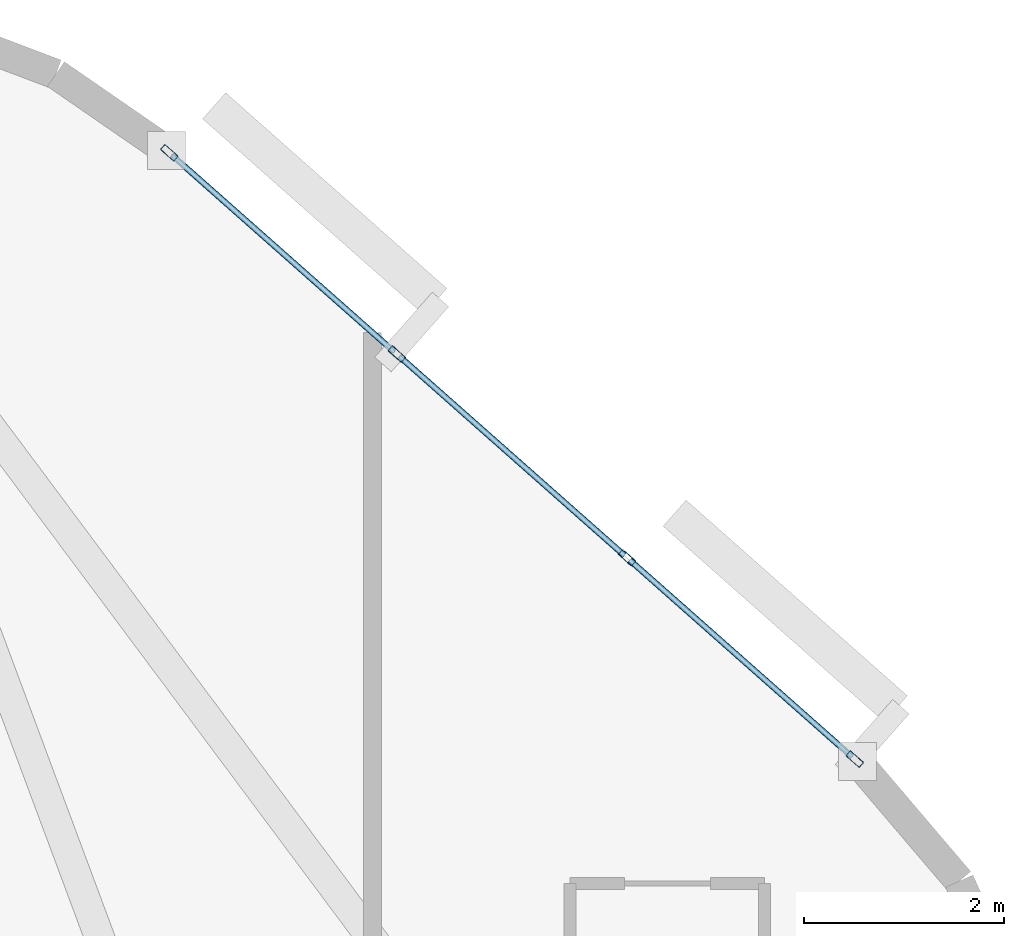
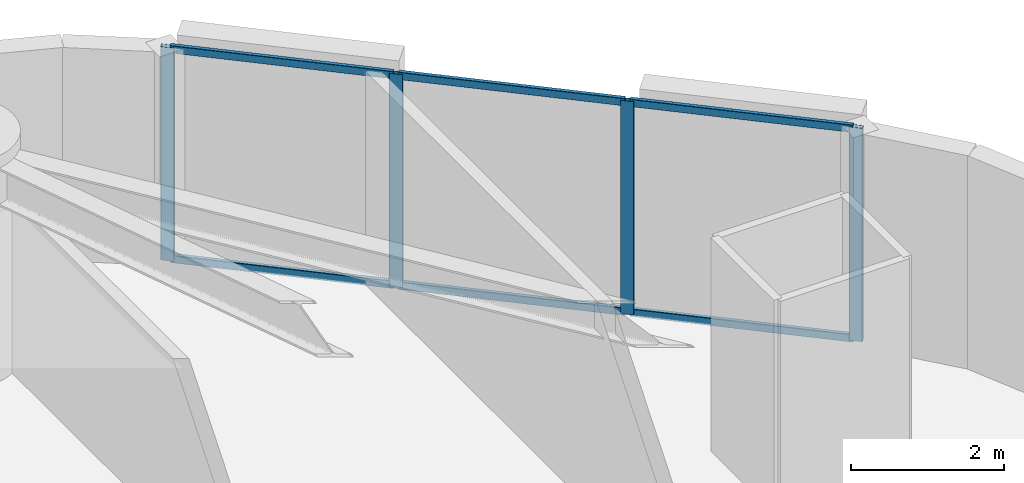
# One storey, part 8 of 16: 10 members, 1 element without a shape of its own.
"""IFC4 building model written with IfcOpenShell, lengths in metres."""

from ifc_helpers import new_model, si_unit, direction, frame, origin, origin_2d, place, context, subcontext, project, spatial, hollow_rectangle, extrude, material, layer, layer_set, material_profile, profile_set, type_object, element, aggregate, save


model = new_model("IFC4")

# Units and contexts
model_context = context("Model", 3, precision=1e-05, world=origin(), true_north=direction((0.0, 1.0)))
body_context = subcontext(model_context, "Body", "Model", "MODEL_VIEW")
ifc_project = project(units=[si_unit("LENGTHUNIT", "METRE"), si_unit("AREAUNIT", "SQUARE_METRE"), si_unit("VOLUMEUNIT", "CUBIC_METRE"), si_unit("PLANEANGLEUNIT", "RADIAN"), si_unit("MASSUNIT", "GRAM", prefix="KILO")], contexts=[model_context])

# Site, building, storey
site_placement = place(None, origin())
site = spatial("IfcSite", under=ifc_project, at=site_placement, CompositionType="ELEMENT")
building_placement = place(site_placement, origin())
building = spatial("IfcBuilding", under=site, at=building_placement, Name="An Khanh Terracotta Commons", CompositionType="ELEMENT")
storey_placement = place(building_placement, frame((0.0, 0.0, 68.39990234375)))
storey = spatial("IfcBuildingStorey", under=building, at=storey_placement, Name="L18", CompositionType="ELEMENT", Elevation=68.39990234375)

# Curtain wall, members
ifc_material = material(Name="Anodised Aluminium 6063-T6", Category="aluminium")
ifc_layer = layer(ifc_material, 0.199951171875, Name="Anodised Aluminium 6063-T6")
ifc_layer_set = layer_set([ifc_layer], Name="Anodised Aluminium 6063-T6")
curtain_wall_type = type_object("IfcCurtainWallType", Name="CW-SYS-02", PredefinedType="USERDEFINED", material=ifc_layer_set)
curtain_wall_placement = place(storey_placement, origin())
curtain_wall = element("IfcCurtainWall", 1, at=curtain_wall_placement, inside=storey, type_object=curtain_wall_type, Name="L18 CW-02 Unitised Curtain Wall CW-L18-16", ObjectType="UNITISED CURTAIN WALL", PredefinedType="USERDEFINED")
ifc_material_profile_1 = material_profile(ifc_material, hollow_rectangle(XDim=0.070068359375, YDim=0.179931640625, WallThickness=0.00390625, InnerFilletRadius=0.00390625, OuterFilletRadius=0.008056640625, at=origin_2d()), Name="RHS180x70x4")
ifc_profile_set_1 = profile_set([ifc_material_profile_1], Name="Anodised Aluminium 6063-T6")
member_type_1 = type_object("IfcMemberType", Name="CWM-RHS180x70x4", PredefinedType="MULLION", material=ifc_profile_set_1)
member_1_placement = place(storey_placement, frame((49.683837890625, 38.295166015625, 0.0), z_axis=(0.0, 0.0, 1.0), x_axis=(-0.662548195415, -0.749019284633, 0.0)))
member_1 = element("IfcMember", 2, at=member_1_placement, type_object=member_type_1, Name="CW-02 mullion 1", PredefinedType="MULLION", context=body_context, shape_type="SweptSolid", body=[
    extrude(hollow_rectangle(XDim=0.070068359375, YDim=0.179931640625, WallThickness=0.00390625, InnerFilletRadius=0.00390625, OuterFilletRadius=0.008056640625, at=origin_2d()), origin(), (0.0, 0.0, 1.0), 3.400146484375),
])
member_2_placement = place(storey_placement, frame((47.403076171875, 40.312744140625, 0.0), z_axis=(0.0, 0.0, 1.0), x_axis=(-0.662548195415, -0.749019284633, 0.0)))
member_2 = element("IfcMember", 3, at=member_2_placement, type_object=member_type_1, Name="CW-02 mullion 2", PredefinedType="MULLION", context=body_context, shape_type="SweptSolid", body=[
    extrude(hollow_rectangle(XDim=0.070068359375, YDim=0.179931640625, WallThickness=0.00390625, InnerFilletRadius=0.00390625, OuterFilletRadius=0.008056640625, at=origin_2d()), origin(), (0.0, 0.0, 1.0), 3.400146484375),
])
member_3_placement = place(storey_placement, frame((45.095947265625, 42.353271484375, 0.0), z_axis=(0.0, 0.0, 1.0), x_axis=(-0.662548195415, -0.749019284633, 0.0)))
member_3 = element("IfcMember", 4, at=member_3_placement, type_object=member_type_1, Name="CW-02 mullion 3", PredefinedType="MULLION", context=body_context, shape_type="SweptSolid", body=[
    extrude(hollow_rectangle(XDim=0.070068359375, YDim=0.179931640625, WallThickness=0.00390625, InnerFilletRadius=0.00390625, OuterFilletRadius=0.008056640625, at=origin_2d()), origin(), (0.0, 0.0, 1.0), 3.400146484375),
])
member_4_placement = place(storey_placement, frame((42.815185546875, 44.370849609375, 0.0), z_axis=(0.0, 0.0, 1.0), x_axis=(-0.662548195415, -0.749019284633, 0.0)))
member_4 = element("IfcMember", 5, at=member_4_placement, type_object=member_type_1, Name="CW-02 mullion 4", PredefinedType="MULLION", context=body_context, shape_type="SweptSolid", body=[
    extrude(hollow_rectangle(XDim=0.070068359375, YDim=0.179931640625, WallThickness=0.00390625, InnerFilletRadius=0.00390625, OuterFilletRadius=0.008056640625, at=origin_2d()), origin(), (0.0, 0.0, 1.0), 3.400146484375),
])
ifc_material_profile_2 = material_profile(ifc_material, hollow_rectangle(XDim=0.06005859375, YDim=0.1201171875, WallThickness=0.003662109375, InnerFilletRadius=0.003662109375, OuterFilletRadius=0.007080078125, at=origin_2d()), Name="RHS120x60x3.6")
ifc_profile_set_2 = profile_set([ifc_material_profile_2], Name="Anodised Aluminium 6063-T6")
member_type_2 = type_object("IfcMemberType", Name="CWT-RHS120x60x3.6", PredefinedType="USERDEFINED", material=ifc_profile_set_2)
member_5_placement = place(storey_placement, frame((49.657470703125, 38.318359375, 0.030029296875), z_axis=(-0.74899186341, 0.662579194168, 0.0), x_axis=(-0.662579194168, -0.74899186341, 0.0)))
member_5 = element("IfcMember", 6, at=member_5_placement, type_object=member_type_2, Name="CW-02 transom 1.1", ObjectType="TRANSOM", PredefinedType="USERDEFINED", context=body_context, shape_type="SweptSolid", body=[
    extrude(hollow_rectangle(XDim=0.06005859375, YDim=0.1201171875, WallThickness=0.003662109375, InnerFilletRadius=0.003662109375, OuterFilletRadius=0.007080078125, at=origin_2d()), origin(), (0.0, 0.0, 1.0), 2.97509765625),
])
member_6_placement = place(storey_placement, frame((49.657470703125, 38.318359375, 3.3701171875), z_axis=(-0.74899186341, 0.662579194168, 0.0), x_axis=(-0.662579194168, -0.74899186341, 0.0)))
member_6 = element("IfcMember", 7, at=member_6_placement, type_object=member_type_2, Name="CW-02 transom 1.2", ObjectType="TRANSOM", PredefinedType="USERDEFINED", context=body_context, shape_type="SweptSolid", body=[
    extrude(hollow_rectangle(XDim=0.06005859375, YDim=0.1201171875, WallThickness=0.003662109375, InnerFilletRadius=0.003662109375, OuterFilletRadius=0.007080078125, at=origin_2d()), origin(), (0.0, 0.0, 1.0), 2.97509765625),
])
member_7_placement = place(storey_placement, frame((47.376708984375, 40.3359375, 0.030029296875), z_axis=(-0.749018237701, 0.662549378984, 0.0), x_axis=(-0.662549378984, -0.749018237701, 0.0)))
member_7 = element("IfcMember", 8, at=member_7_placement, type_object=member_type_2, Name="CW-02 transom 2.1", ObjectType="TRANSOM", PredefinedType="USERDEFINED", context=body_context, shape_type="SweptSolid", body=[
    extrude(hollow_rectangle(XDim=0.06005859375, YDim=0.1201171875, WallThickness=0.003662109375, InnerFilletRadius=0.003662109375, OuterFilletRadius=0.007080078125, at=origin_2d()), origin(), (0.0, 0.0, 1.0), 3.009765625),
])
member_8_placement = place(storey_placement, frame((47.376708984375, 40.3359375, 3.3701171875), z_axis=(-0.749018237701, 0.662549378984, 0.0), x_axis=(-0.662549378984, -0.749018237701, 0.0)))
member_8 = element("IfcMember", 9, at=member_8_placement, type_object=member_type_2, Name="CW-02 transom 2.2", ObjectType="TRANSOM", PredefinedType="USERDEFINED", context=body_context, shape_type="SweptSolid", body=[
    extrude(hollow_rectangle(XDim=0.06005859375, YDim=0.1201171875, WallThickness=0.003662109375, InnerFilletRadius=0.003662109375, OuterFilletRadius=0.007080078125, at=origin_2d()), origin(), (0.0, 0.0, 1.0), 3.009765625),
])
member_9_placement = place(storey_placement, frame((45.06982421875, 42.37646484375, 0.030029296875), z_axis=(-0.74899186341, 0.662579194168, 0.0), x_axis=(-0.662579194168, -0.74899186341, 0.0)))
member_9 = element("IfcMember", 10, at=member_9_placement, type_object=member_type_2, Name="CW-02 transom 3.1", ObjectType="TRANSOM", PredefinedType="USERDEFINED", context=body_context, shape_type="SweptSolid", body=[
    extrude(hollow_rectangle(XDim=0.06005859375, YDim=0.1201171875, WallThickness=0.003662109375, InnerFilletRadius=0.003662109375, OuterFilletRadius=0.007080078125, at=origin_2d()), origin(), (0.0, 0.0, 1.0), 2.97509765625),
])
member_10_placement = place(storey_placement, frame((45.06982421875, 42.37646484375, 3.3701171875), z_axis=(-0.74899186341, 0.662579194168, 0.0), x_axis=(-0.662579194168, -0.74899186341, 0.0)))
member_10 = element("IfcMember", 11, at=member_10_placement, type_object=member_type_2, Name="CW-02 transom 3.2", ObjectType="TRANSOM", PredefinedType="USERDEFINED", context=body_context, shape_type="SweptSolid", body=[
    extrude(hollow_rectangle(XDim=0.06005859375, YDim=0.1201171875, WallThickness=0.003662109375, InnerFilletRadius=0.003662109375, OuterFilletRadius=0.007080078125, at=origin_2d()), origin(), (0.0, 0.0, 1.0), 2.97509765625),
])
aggregate(curtain_wall, [member_1, member_2, member_3, member_4, member_5, member_6, member_7, member_8, member_9, member_10])

save(model, "model.ifc")
